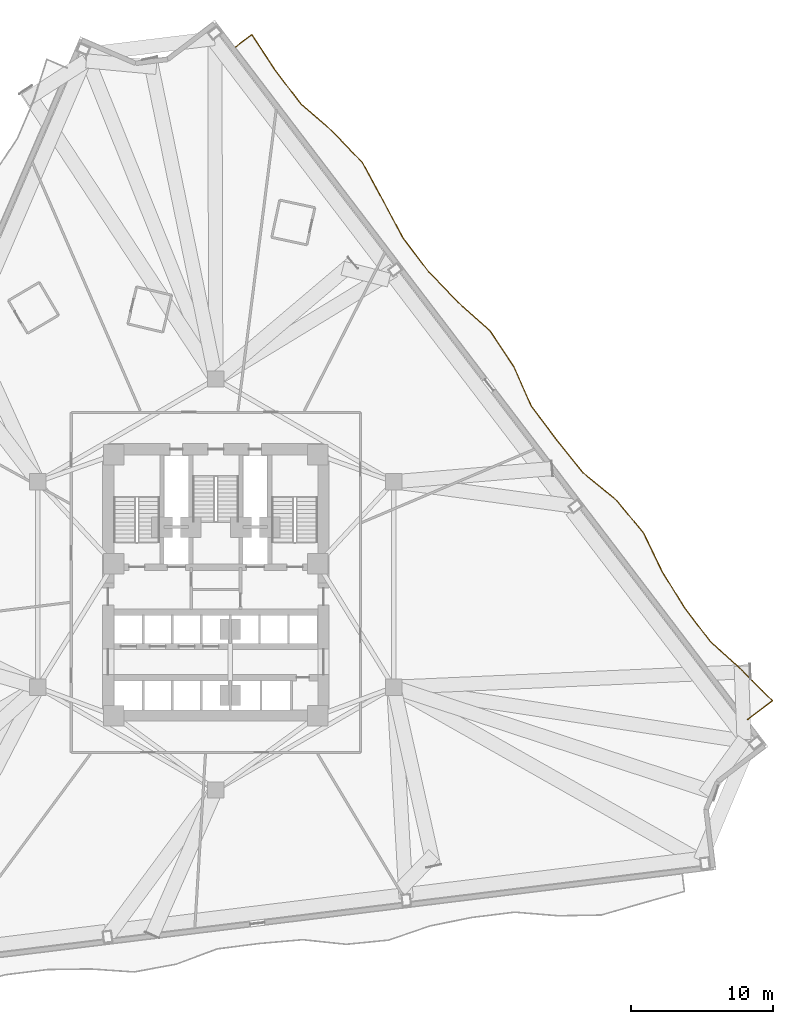
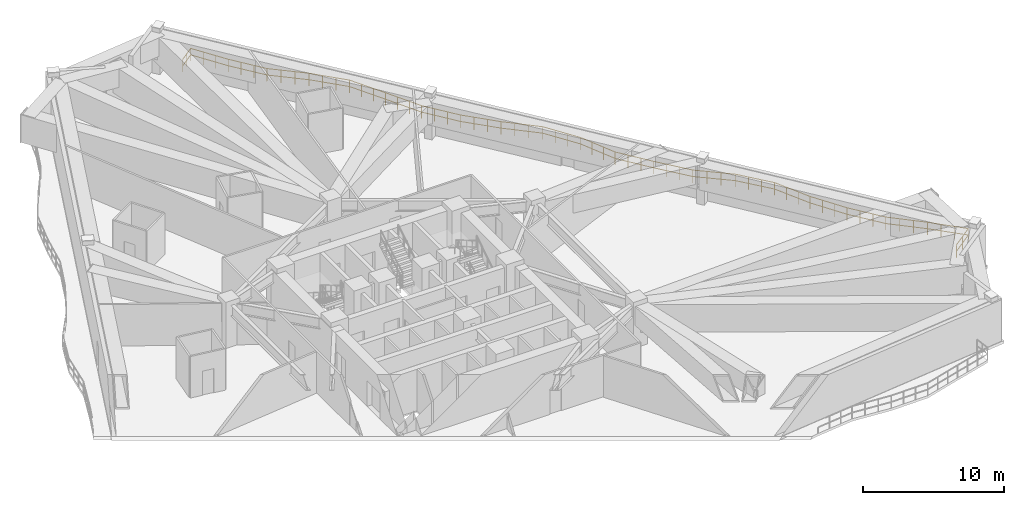
# One storey, part 14 of 14: 1 railing.
"""IFC4 building model written with IfcOpenShell, lengths in metres."""

from ifc_helpers import new_model, si_unit, direction, frame, origin, origin_2d, place, context, subcontext, project, spatial, rectangle, extrude, material, type_object, element, save


model = new_model("IFC4")

# Units and contexts
model_context = context("Model", 3, precision=1e-05, world=origin(), true_north=direction((0.0, 1.0)))
body_context = subcontext(model_context, "Body", "Model", "MODEL_VIEW")
ifc_project = project(units=[si_unit("LENGTHUNIT", "METRE"), si_unit("AREAUNIT", "SQUARE_METRE"), si_unit("VOLUMEUNIT", "CUBIC_METRE"), si_unit("PLANEANGLEUNIT", "RADIAN"), si_unit("MASSUNIT", "GRAM", prefix="KILO")], contexts=[model_context])

# Site, building, storey
site_placement = place(None, origin())
site = spatial("IfcSite", under=ifc_project, at=site_placement, CompositionType="ELEMENT")
building_placement = place(site_placement, origin())
building = spatial("IfcBuilding", under=site, at=building_placement, Name="Apsidion Concourse Tower", CompositionType="ELEMENT")
storey_placement = place(building_placement, frame((0.0, 0.0, 91.0)))
storey = spatial("IfcBuildingStorey", under=building, at=storey_placement, Name="L20", CompositionType="ELEMENT", Elevation=91.0)

# Railing
ifc_material = material(Name="Brushed stainless steel 316", Category="steel")
railing_type = type_object("IfcRailingType", Name="RL-BAL-1120", PredefinedType="BALUSTRADE", material=ifc_material)
railing_placement = place(storey_placement, frame((1.376708984375, 37.926513671875, 0.0)))
element("IfcRailing", 1, at=railing_placement, inside=storey, type_object=railing_type, Name="L20 Face 3 Rippling Balcony Balustrade", PredefinedType="BALUSTRADE", context=body_context, shape_type="SweptSolid", body=[
    extrude(rectangle(XDim=0.048095703125, YDim=0.048095703125, at=origin_2d()), frame((0.0, 0.0, 1.09619140625), z_axis=(0.795653845636, 0.605751564526, 0.0), x_axis=(-0.605751564526, 0.795653845636, 0.0)), (0.0, 0.0, 1.0), 1.463134765625),
    extrude(rectangle(XDim=0.048095703125, YDim=0.048095703125, at=origin_2d()), frame((0.0, 0.0, 0.5361328125), z_axis=(0.795653845636, 0.605751564526, 0.0), x_axis=(-0.605751564526, 0.795653845636, 0.0)), (0.0, 0.0, 1.0), 1.463134765625),
    extrude(rectangle(XDim=0.048095703125, YDim=0.048095703125, at=origin_2d()), frame((1.1640625, 0.88623046875, 1.09619140625), z_axis=(0.547634234982, -0.836717840539, 0.0), x_axis=(0.836717840539, 0.547634234982, 0.0)), (0.0, 0.0, 1.0), 2.990478515625),
    extrude(rectangle(XDim=0.048095703125, YDim=0.048095703125, at=origin_2d()), frame((1.1640625, 0.88623046875, 0.5361328125), z_axis=(0.547634234982, -0.836717840539, 0.0), x_axis=(0.836717840539, 0.547634234982, 0.0)), (0.0, 0.0, 1.0), 2.990478515625),
    extrude(rectangle(XDim=0.048095703125, YDim=0.048095703125, at=origin_2d()), frame((2.8017578125, -1.615966796875, 1.09619140625), z_axis=(0.605902647508, -0.795538799646, 0.0), x_axis=(0.795538799646, 0.605902647508, 0.0)), (0.0, 0.0, 1.0), 2.98291015625),
    extrude(rectangle(XDim=0.048095703125, YDim=0.048095703125, at=origin_2d()), frame((2.8017578125, -1.615966796875, 0.5361328125), z_axis=(0.605902647508, -0.795538799646, 0.0), x_axis=(0.795538799646, 0.605902647508, 0.0)), (0.0, 0.0, 1.0), 2.98291015625),
    extrude(rectangle(XDim=0.048095703125, YDim=0.048095703125, at=origin_2d()), frame((4.609130859375, -3.989013671875, 1.09619140625), z_axis=(0.754123854994, -0.656732221936, 0.0), x_axis=(0.656732221936, 0.754123854994, 0.0)), (0.0, 0.0, 1.0), 3.045654296875),
    extrude(rectangle(XDim=0.048095703125, YDim=0.048095703125, at=origin_2d()), frame((4.609130859375, -3.989013671875, 0.5361328125), z_axis=(0.754123854994, -0.656732221936, 0.0), x_axis=(0.656732221936, 0.754123854994, 0.0)), (0.0, 0.0, 1.0), 3.045654296875),
    extrude(rectangle(XDim=0.048095703125, YDim=0.048095703125, at=origin_2d()), frame((6.906005859375, -5.9892578125, 1.09619140625), z_axis=(0.6899009137, -0.723903812171, 0.0), x_axis=(0.723903812171, 0.6899009137, 0.0)), (0.0, 0.0, 1.0), 3.001220703125),
    extrude(rectangle(XDim=0.048095703125, YDim=0.048095703125, at=origin_2d()), frame((6.906005859375, -5.9892578125, 0.5361328125), z_axis=(0.6899009137, -0.723903812171, 0.0), x_axis=(0.723903812171, 0.6899009137, 0.0)), (0.0, 0.0, 1.0), 3.001220703125),
    extrude(rectangle(XDim=0.048095703125, YDim=0.048095703125, at=origin_2d()), frame((8.9765625, -8.161865234375, 1.09619140625), z_axis=(0.477752232799, -0.878494623806, 0.0), x_axis=(0.878494623806, 0.477752232799, 0.0)), (0.0, 0.0, 1.0), 3.01806640625),
    extrude(rectangle(XDim=0.048095703125, YDim=0.048095703125, at=origin_2d()), frame((8.9765625, -8.161865234375, 0.5361328125), z_axis=(0.477752232799, -0.878494623806, 0.0), x_axis=(0.878494623806, 0.477752232799, 0.0)), (0.0, 0.0, 1.0), 3.01806640625),
    extrude(rectangle(XDim=0.048095703125, YDim=0.048095703125, at=origin_2d()), frame((10.41845703125, -10.813232421875, 1.09619140625), z_axis=(0.469816592265, -0.88276405094, 0.0), x_axis=(0.88276405094, 0.469816592265, 0.0)), (0.0, 0.0, 1.0), 3.022216796875),
    extrude(rectangle(XDim=0.048095703125, YDim=0.048095703125, at=origin_2d()), frame((10.41845703125, -10.813232421875, 0.5361328125), z_axis=(0.469816592265, -0.88276405094, 0.0), x_axis=(0.88276405094, 0.469816592265, 0.0)), (0.0, 0.0, 1.0), 3.022216796875),
    extrude(rectangle(XDim=0.048095703125, YDim=0.048095703125, at=origin_2d()), frame((11.83837890625, -13.481201171875, 1.09619140625), z_axis=(0.605811395244, -0.79560829143, 0.0), x_axis=(0.79560829143, 0.605811395244, 0.0)), (0.0, 0.0, 1.0), 2.98291015625),
    extrude(rectangle(XDim=0.048095703125, YDim=0.048095703125, at=origin_2d()), frame((11.83837890625, -13.481201171875, 0.5361328125), z_axis=(0.605811395244, -0.79560829143, 0.0), x_axis=(0.79560829143, 0.605811395244, 0.0)), (0.0, 0.0, 1.0), 2.98291015625),
    extrude(rectangle(XDim=0.048095703125, YDim=0.048095703125, at=origin_2d()), frame((13.6455078125, -15.8544921875, 1.09619140625), z_axis=(0.6950164946, -0.718993791513, 0.0), x_axis=(0.718993791513, 0.6950164946, 0.0)), (0.0, 0.0, 1.0), 3.003662109375),
    extrude(rectangle(XDim=0.048095703125, YDim=0.048095703125, at=origin_2d()), frame((13.6455078125, -15.8544921875, 0.5361328125), z_axis=(0.6950164946, -0.718993791513, 0.0), x_axis=(0.718993791513, 0.6950164946, 0.0)), (0.0, 0.0, 1.0), 3.003662109375),
    extrude(rectangle(XDim=0.048095703125, YDim=0.048095703125, at=origin_2d()), frame((15.733154296875, -18.01416015625, 1.09619140625), z_axis=(0.743322137091, -0.668933629376, 0.0), x_axis=(0.668933629376, 0.743322137091, 0.0)), (0.0, 0.0, 1.0), 3.035888671875),
    extrude(rectangle(XDim=0.048095703125, YDim=0.048095703125, at=origin_2d()), frame((15.733154296875, -18.01416015625, 0.5361328125), z_axis=(0.743322137091, -0.668933629376, 0.0), x_axis=(0.668933629376, 0.743322137091, 0.0)), (0.0, 0.0, 1.0), 3.035888671875),
    extrude(rectangle(XDim=0.048095703125, YDim=0.048095703125, at=origin_2d()), frame((17.98974609375, -20.044921875, 1.09619140625), z_axis=(0.554285440545, -0.832326648858, 0.0), x_axis=(0.832326648858, 0.554285440545, 0.0)), (0.0, 0.0, 1.0), 2.989013671875),
    extrude(rectangle(XDim=0.048095703125, YDim=0.048095703125, at=origin_2d()), frame((17.98974609375, -20.044921875, 0.5361328125), z_axis=(0.554285440545, -0.832326648858, 0.0), x_axis=(0.832326648858, 0.554285440545, 0.0)), (0.0, 0.0, 1.0), 2.989013671875),
    extrude(rectangle(XDim=0.048095703125, YDim=0.048095703125, at=origin_2d()), frame((19.646484375, -22.53271484375, 1.09619140625), z_axis=(0.404490649522, -0.914542133775, 0.0), x_axis=(0.914542133775, 0.404490649522, 0.0)), (0.0, 0.0, 1.0), 3.066650390625),
    extrude(rectangle(XDim=0.048095703125, YDim=0.048095703125, at=origin_2d()), frame((19.646484375, -22.53271484375, 0.5361328125), z_axis=(0.404490649522, -0.914542133775, 0.0), x_axis=(0.914542133775, 0.404490649522, 0.0)), (0.0, 0.0, 1.0), 3.066650390625),
    extrude(rectangle(XDim=0.048095703125, YDim=0.048095703125, at=origin_2d()), frame((20.886962890625, -25.33740234375, 1.09619140625), z_axis=(0.601753397745, -0.798681944395, 0.0), x_axis=(0.798681944395, 0.601753397745, 0.0)), (0.0, 0.0, 1.0), 2.98291015625),
    extrude(rectangle(XDim=0.048095703125, YDim=0.048095703125, at=origin_2d()), frame((20.886962890625, -25.33740234375, 0.5361328125), z_axis=(0.601753397745, -0.798681944395, 0.0), x_axis=(0.798681944395, 0.601753397745, 0.0)), (0.0, 0.0, 1.0), 2.98291015625),
    extrude(rectangle(XDim=0.048095703125, YDim=0.048095703125, at=origin_2d()), frame((22.681884765625, -27.7197265625, 1.09619140625), z_axis=(0.626917370892, -0.779085752709, 0.0), x_axis=(0.779085752709, 0.626917370892, 0.0)), (0.0, 0.0, 1.0), 2.984130859375),
    extrude(rectangle(XDim=0.048095703125, YDim=0.048095703125, at=origin_2d()), frame((22.681884765625, -27.7197265625, 0.5361328125), z_axis=(0.626917370892, -0.779085752709, 0.0), x_axis=(0.779085752709, 0.626917370892, 0.0)), (0.0, 0.0, 1.0), 2.984130859375),
    extrude(rectangle(XDim=0.048095703125, YDim=0.048095703125, at=origin_2d()), frame((24.552734375, -30.044677734375, 1.09619140625), z_axis=(0.771198183507, -0.636595131741, 0.0), x_axis=(0.636595131741, 0.771198183507, 0.0)), (0.0, 0.0, 1.0), 3.0634765625),
    extrude(rectangle(XDim=0.048095703125, YDim=0.048095703125, at=origin_2d()), frame((24.552734375, -30.044677734375, 0.5361328125), z_axis=(0.771198183507, -0.636595131741, 0.0), x_axis=(0.636595131741, 0.771198183507, 0.0)), (0.0, 0.0, 1.0), 3.0634765625),
    extrude(rectangle(XDim=0.048095703125, YDim=0.048095703125, at=origin_2d()), frame((26.915283203125, -31.994873046875, 1.09619140625), z_axis=(0.635821918044, -0.771835791173, 0.0), x_axis=(0.771835791173, 0.635821918044, 0.0)), (0.0, 0.0, 1.0), 2.985107421875),
    extrude(rectangle(XDim=0.048095703125, YDim=0.048095703125, at=origin_2d()), frame((26.915283203125, -31.994873046875, 0.5361328125), z_axis=(0.635821918044, -0.771835791173, 0.0), x_axis=(0.771835791173, 0.635821918044, 0.0)), (0.0, 0.0, 1.0), 2.985107421875),
    extrude(rectangle(XDim=0.048095703125, YDim=0.048095703125, at=origin_2d()), frame((28.813232421875, -34.298828125, 1.09619140625), z_axis=(0.434466486783, -0.900687999178, 0.0), x_axis=(0.900687999178, 0.434466486783, 0.0)), (0.0, 0.0, 1.0), 3.04443359375),
    extrude(rectangle(XDim=0.048095703125, YDim=0.048095703125, at=origin_2d()), frame((28.813232421875, -34.298828125, 0.5361328125), z_axis=(0.434466486783, -0.900687999178, 0.0), x_axis=(0.900687999178, 0.434466486783, 0.0)), (0.0, 0.0, 1.0), 3.04443359375),
    extrude(rectangle(XDim=0.048095703125, YDim=0.048095703125, at=origin_2d()), frame((30.135986328125, -37.041015625, 1.09619140625), z_axis=(0.528173955979, -0.849136191801, 0.0), x_axis=(0.849136191801, 0.528173955979, 0.0)), (0.0, 0.0, 1.0), 2.99609375),
    extrude(rectangle(XDim=0.048095703125, YDim=0.048095703125, at=origin_2d()), frame((30.135986328125, -37.041015625, 0.5361328125), z_axis=(0.528173955979, -0.849136191801, 0.0), x_axis=(0.849136191801, 0.528173955979, 0.0)), (0.0, 0.0, 1.0), 2.99609375),
    extrude(rectangle(XDim=0.048095703125, YDim=0.048095703125, at=origin_2d()), frame((31.718505859375, -39.585205078125, 1.09619140625), z_axis=(0.605850845078, -0.795578251034, 0.0), x_axis=(0.795578251034, 0.605850845078, 0.0)), (0.0, 0.0, 1.0), 2.98291015625),
    extrude(rectangle(XDim=0.048095703125, YDim=0.048095703125, at=origin_2d()), frame((31.718505859375, -39.585205078125, 0.5361328125), z_axis=(0.605850845078, -0.795578251034, 0.0), x_axis=(0.795578251034, 0.605850845078, 0.0)), (0.0, 0.0, 1.0), 2.98291015625),
    extrude(rectangle(XDim=0.048095703125, YDim=0.048095703125, at=origin_2d()), frame((33.525634765625, -41.958251953125, 1.09619140625), z_axis=(0.74067153723, -0.671867303817, 0.0), x_axis=(0.671867303817, 0.74067153723, 0.0)), (0.0, 0.0, 1.0), 3.033935546875),
    extrude(rectangle(XDim=0.048095703125, YDim=0.048095703125, at=origin_2d()), frame((33.525634765625, -41.958251953125, 0.5361328125), z_axis=(0.74067153723, -0.671867303817, 0.0), x_axis=(0.671867303817, 0.74067153723, 0.0)), (0.0, 0.0, 1.0), 3.033935546875),
    extrude(rectangle(XDim=0.048095703125, YDim=0.048095703125, at=origin_2d()), frame((35.772705078125, -43.99658203125, 1.09619140625), z_axis=(0.705604247808, -0.70860612859, 0.0), x_axis=(0.70860612859, 0.705604247808, 0.0)), (0.0, 0.0, 1.0), 3.00927734375),
    extrude(rectangle(XDim=0.048095703125, YDim=0.048095703125, at=origin_2d()), frame((35.772705078125, -43.99658203125, 0.5361328125), z_axis=(0.705604247808, -0.70860612859, 0.0), x_axis=(0.70860612859, 0.705604247808, 0.0)), (0.0, 0.0, 1.0), 3.00927734375),
    extrude(rectangle(XDim=0.048095703125, YDim=0.048095703125, at=origin_2d()), frame((37.89599609375, -46.12890625, 1.09619140625), z_axis=(-0.795543790886, -0.605896094049, 0.0), x_axis=(0.605896094049, -0.795543790886, 0.0)), (0.0, 0.0, 1.0), 2.199951171875),
    extrude(rectangle(XDim=0.048095703125, YDim=0.048095703125, at=origin_2d()), frame((37.89599609375, -46.12890625, 0.5361328125), z_axis=(-0.795543790886, -0.605896094049, 0.0), x_axis=(0.605896094049, -0.795543790886, 0.0)), (0.0, 0.0, 1.0), 2.199951171875),
    extrude(rectangle(XDim=0.0419921875, YDim=0.0419921875, at=origin_2d()), origin(), (0.0, 0.0, 1.0), 1.072021484375),
    extrude(rectangle(XDim=0.0419921875, YDim=0.0419921875, at=origin_2d()), frame((0.58203125, 0.443115234375, 0.0)), (0.0, 0.0, 1.0), 1.072021484375),
    extrude(rectangle(XDim=0.0419921875, YDim=0.0419921875, at=origin_2d()), frame((1.1640625, 0.88623046875, 0.0)), (0.0, 0.0, 1.0), 1.072021484375),
    extrude(rectangle(XDim=0.0419921875, YDim=0.0419921875, at=origin_2d()), frame((1.7099609375, 0.05224609375, 0.0)), (0.0, 0.0, 1.0), 1.072021484375),
    extrude(rectangle(XDim=0.0419921875, YDim=0.0419921875, at=origin_2d()), frame((2.255859375, -0.781982421875, 0.0)), (0.0, 0.0, 1.0), 1.072021484375),
    extrude(rectangle(XDim=0.0419921875, YDim=0.0419921875, at=origin_2d()), frame((2.8017578125, -1.615966796875, 0.0)), (0.0, 0.0, 1.0), 1.072021484375),
    extrude(rectangle(XDim=0.0419921875, YDim=0.0419921875, at=origin_2d()), frame((3.404296875, -2.406982421875, 0.0)), (0.0, 0.0, 1.0), 1.072021484375),
    extrude(rectangle(XDim=0.0419921875, YDim=0.0419921875, at=origin_2d()), frame((4.006591796875, -3.197998046875, 0.0)), (0.0, 0.0, 1.0), 1.072021484375),
    extrude(rectangle(XDim=0.0419921875, YDim=0.0419921875, at=origin_2d()), frame((4.609130859375, -3.989013671875, 0.0)), (0.0, 0.0, 1.0), 1.072021484375),
    extrude(rectangle(XDim=0.0419921875, YDim=0.0419921875, at=origin_2d()), frame((5.374755859375, -4.65576171875, 0.0)), (0.0, 0.0, 1.0), 1.072021484375),
    extrude(rectangle(XDim=0.0419921875, YDim=0.0419921875, at=origin_2d()), frame((6.140380859375, -5.322509765625, 0.0)), (0.0, 0.0, 1.0), 1.072021484375),
    extrude(rectangle(XDim=0.0419921875, YDim=0.0419921875, at=origin_2d()), frame((6.906005859375, -5.9892578125, 0.0)), (0.0, 0.0, 1.0), 1.072021484375),
    extrude(rectangle(XDim=0.0419921875, YDim=0.0419921875, at=origin_2d()), frame((7.59619140625, -6.71337890625, 0.0)), (0.0, 0.0, 1.0), 1.072021484375),
    extrude(rectangle(XDim=0.0419921875, YDim=0.0419921875, at=origin_2d()), frame((8.286376953125, -7.437744140625, 0.0)), (0.0, 0.0, 1.0), 1.072021484375),
    extrude(rectangle(XDim=0.0419921875, YDim=0.0419921875, at=origin_2d()), frame((8.9765625, -8.161865234375, 0.0)), (0.0, 0.0, 1.0), 1.072021484375),
    extrude(rectangle(XDim=0.0419921875, YDim=0.0419921875, at=origin_2d()), frame((9.457275390625, -9.045654296875, 0.0)), (0.0, 0.0, 1.0), 1.072021484375),
    extrude(rectangle(XDim=0.0419921875, YDim=0.0419921875, at=origin_2d()), frame((9.937744140625, -9.929443359375, 0.0)), (0.0, 0.0, 1.0), 1.072021484375),
    extrude(rectangle(XDim=0.0419921875, YDim=0.0419921875, at=origin_2d()), frame((10.41845703125, -10.813232421875, 0.0)), (0.0, 0.0, 1.0), 1.072021484375),
    extrude(rectangle(XDim=0.0419921875, YDim=0.0419921875, at=origin_2d()), frame((10.891845703125, -11.70263671875, 0.0)), (0.0, 0.0, 1.0), 1.072021484375),
    extrude(rectangle(XDim=0.0419921875, YDim=0.0419921875, at=origin_2d()), frame((11.364990234375, -12.591796875, 0.0)), (0.0, 0.0, 1.0), 1.072021484375),
    extrude(rectangle(XDim=0.0419921875, YDim=0.0419921875, at=origin_2d()), frame((11.83837890625, -13.481201171875, 0.0)), (0.0, 0.0, 1.0), 1.072021484375),
    extrude(rectangle(XDim=0.0419921875, YDim=0.0419921875, at=origin_2d()), frame((12.440673828125, -14.272216796875, 0.0)), (0.0, 0.0, 1.0), 1.072021484375),
    extrude(rectangle(XDim=0.0419921875, YDim=0.0419921875, at=origin_2d()), frame((13.043212890625, -15.0634765625, 0.0)), (0.0, 0.0, 1.0), 1.072021484375),
    extrude(rectangle(XDim=0.0419921875, YDim=0.0419921875, at=origin_2d()), frame((13.6455078125, -15.8544921875, 0.0)), (0.0, 0.0, 1.0), 1.072021484375),
    extrude(rectangle(XDim=0.0419921875, YDim=0.0419921875, at=origin_2d()), frame((14.34130859375, -16.574462890625, 0.0)), (0.0, 0.0, 1.0), 1.072021484375),
    extrude(rectangle(XDim=0.0419921875, YDim=0.0419921875, at=origin_2d()), frame((15.037353515625, -17.294189453125, 0.0)), (0.0, 0.0, 1.0), 1.072021484375),
    extrude(rectangle(XDim=0.0419921875, YDim=0.0419921875, at=origin_2d()), frame((15.733154296875, -18.01416015625, 0.0)), (0.0, 0.0, 1.0), 1.072021484375),
    extrude(rectangle(XDim=0.0419921875, YDim=0.0419921875, at=origin_2d()), frame((16.4853515625, -18.691162109375, 0.0)), (0.0, 0.0, 1.0), 1.072021484375),
    extrude(rectangle(XDim=0.0419921875, YDim=0.0419921875, at=origin_2d()), frame((17.237548828125, -19.367919921875, 0.0)), (0.0, 0.0, 1.0), 1.072021484375),
    extrude(rectangle(XDim=0.0419921875, YDim=0.0419921875, at=origin_2d()), frame((17.98974609375, -20.044921875, 0.0)), (0.0, 0.0, 1.0), 1.072021484375),
    extrude(rectangle(XDim=0.0419921875, YDim=0.0419921875, at=origin_2d()), frame((18.5419921875, -20.874267578125, 0.0)), (0.0, 0.0, 1.0), 1.072021484375),
    extrude(rectangle(XDim=0.0419921875, YDim=0.0419921875, at=origin_2d()), frame((19.09423828125, -21.703369140625, 0.0)), (0.0, 0.0, 1.0), 1.072021484375),
    extrude(rectangle(XDim=0.0419921875, YDim=0.0419921875, at=origin_2d()), frame((19.646484375, -22.53271484375, 0.0)), (0.0, 0.0, 1.0), 1.072021484375),
    extrude(rectangle(XDim=0.0419921875, YDim=0.0419921875, at=origin_2d()), frame((20.06005859375, -23.467529296875, 0.0)), (0.0, 0.0, 1.0), 1.072021484375),
    extrude(rectangle(XDim=0.0419921875, YDim=0.0419921875, at=origin_2d()), frame((20.473388671875, -24.402587890625, 0.0)), (0.0, 0.0, 1.0), 1.072021484375),
    extrude(rectangle(XDim=0.0419921875, YDim=0.0419921875, at=origin_2d()), frame((20.886962890625, -25.33740234375, 0.0)), (0.0, 0.0, 1.0), 1.072021484375),
    extrude(rectangle(XDim=0.0419921875, YDim=0.0419921875, at=origin_2d()), frame((21.4853515625, -26.131591796875, 0.0)), (0.0, 0.0, 1.0), 1.072021484375),
    extrude(rectangle(XDim=0.0419921875, YDim=0.0419921875, at=origin_2d()), frame((22.08349609375, -26.925537109375, 0.0)), (0.0, 0.0, 1.0), 1.072021484375),
    extrude(rectangle(XDim=0.0419921875, YDim=0.0419921875, at=origin_2d()), frame((22.681884765625, -27.7197265625, 0.0)), (0.0, 0.0, 1.0), 1.072021484375),
    extrude(rectangle(XDim=0.0419921875, YDim=0.0419921875, at=origin_2d()), frame((23.305419921875, -28.49462890625, 0.0)), (0.0, 0.0, 1.0), 1.072021484375),
    extrude(rectangle(XDim=0.0419921875, YDim=0.0419921875, at=origin_2d()), frame((23.92919921875, -29.269775390625, 0.0)), (0.0, 0.0, 1.0), 1.072021484375),
    extrude(rectangle(XDim=0.0419921875, YDim=0.0419921875, at=origin_2d()), frame((24.552734375, -30.044677734375, 0.0)), (0.0, 0.0, 1.0), 1.072021484375),
    extrude(rectangle(XDim=0.0419921875, YDim=0.0419921875, at=origin_2d()), frame((25.34033203125, -30.69482421875, 0.0)), (0.0, 0.0, 1.0), 1.072021484375),
    extrude(rectangle(XDim=0.0419921875, YDim=0.0419921875, at=origin_2d()), frame((26.127685546875, -31.3447265625, 0.0)), (0.0, 0.0, 1.0), 1.072021484375),
    extrude(rectangle(XDim=0.0419921875, YDim=0.0419921875, at=origin_2d()), frame((26.915283203125, -31.994873046875, 0.0)), (0.0, 0.0, 1.0), 1.072021484375),
    extrude(rectangle(XDim=0.0419921875, YDim=0.0419921875, at=origin_2d()), frame((27.5478515625, -32.762939453125, 0.0)), (0.0, 0.0, 1.0), 1.072021484375),
    extrude(rectangle(XDim=0.0419921875, YDim=0.0419921875, at=origin_2d()), frame((28.1806640625, -33.53076171875, 0.0)), (0.0, 0.0, 1.0), 1.072021484375),
    extrude(rectangle(XDim=0.0419921875, YDim=0.0419921875, at=origin_2d()), frame((28.813232421875, -34.298828125, 0.0)), (0.0, 0.0, 1.0), 1.072021484375),
    extrude(rectangle(XDim=0.0419921875, YDim=0.0419921875, at=origin_2d()), frame((29.254150390625, -35.212890625, 0.0)), (0.0, 0.0, 1.0), 1.072021484375),
    extrude(rectangle(XDim=0.0419921875, YDim=0.0419921875, at=origin_2d()), frame((29.695068359375, -36.126953125, 0.0)), (0.0, 0.0, 1.0), 1.072021484375),
    extrude(rectangle(XDim=0.0419921875, YDim=0.0419921875, at=origin_2d()), frame((30.135986328125, -37.041015625, 0.0)), (0.0, 0.0, 1.0), 1.072021484375),
    extrude(rectangle(XDim=0.0419921875, YDim=0.0419921875, at=origin_2d()), frame((30.66357421875, -37.88916015625, 0.0)), (0.0, 0.0, 1.0), 1.072021484375),
    extrude(rectangle(XDim=0.0419921875, YDim=0.0419921875, at=origin_2d()), frame((31.19091796875, -38.737060546875, 0.0)), (0.0, 0.0, 1.0), 1.072021484375),
    extrude(rectangle(XDim=0.0419921875, YDim=0.0419921875, at=origin_2d()), frame((31.718505859375, -39.585205078125, 0.0)), (0.0, 0.0, 1.0), 1.072021484375),
    extrude(rectangle(XDim=0.0419921875, YDim=0.0419921875, at=origin_2d()), frame((32.32080078125, -40.376220703125, 0.0)), (0.0, 0.0, 1.0), 1.072021484375),
    extrude(rectangle(XDim=0.0419921875, YDim=0.0419921875, at=origin_2d()), frame((32.92333984375, -41.167236328125, 0.0)), (0.0, 0.0, 1.0), 1.072021484375),
    extrude(rectangle(XDim=0.0419921875, YDim=0.0419921875, at=origin_2d()), frame((33.525634765625, -41.958251953125, 0.0)), (0.0, 0.0, 1.0), 1.072021484375),
    extrude(rectangle(XDim=0.0419921875, YDim=0.0419921875, at=origin_2d()), frame((34.274658203125, -42.6376953125, 0.0)), (0.0, 0.0, 1.0), 1.072021484375),
    extrude(rectangle(XDim=0.0419921875, YDim=0.0419921875, at=origin_2d()), frame((35.023681640625, -43.317138671875, 0.0)), (0.0, 0.0, 1.0), 1.072021484375),
    extrude(rectangle(XDim=0.0419921875, YDim=0.0419921875, at=origin_2d()), frame((35.772705078125, -43.99658203125, 0.0)), (0.0, 0.0, 1.0), 1.072021484375),
    extrude(rectangle(XDim=0.0419921875, YDim=0.0419921875, at=origin_2d()), frame((36.48046875, -44.707275390625, 0.0)), (0.0, 0.0, 1.0), 1.072021484375),
    extrude(rectangle(XDim=0.0419921875, YDim=0.0419921875, at=origin_2d()), frame((37.188232421875, -45.418212890625, 0.0)), (0.0, 0.0, 1.0), 1.072021484375),
    extrude(rectangle(XDim=0.0419921875, YDim=0.0419921875, at=origin_2d()), frame((37.89599609375, -46.12890625, 0.0)), (0.0, 0.0, 1.0), 1.072021484375),
    extrude(rectangle(XDim=0.0419921875, YDim=0.0419921875, at=origin_2d()), frame((37.02099609375, -46.79541015625, 0.0)), (0.0, 0.0, 1.0), 1.072021484375),
    extrude(rectangle(XDim=0.0419921875, YDim=0.0419921875, at=origin_2d()), frame((36.145751953125, -47.4619140625, 0.0)), (0.0, 0.0, 1.0), 1.072021484375),
])

save(model, "model.ifc")
